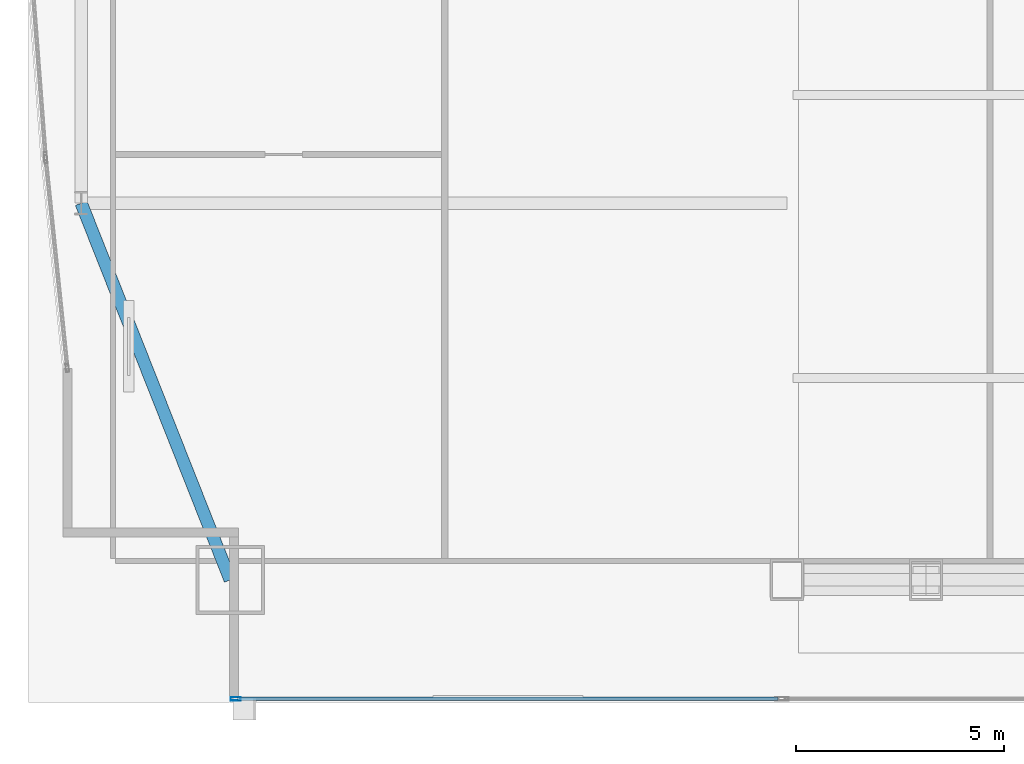
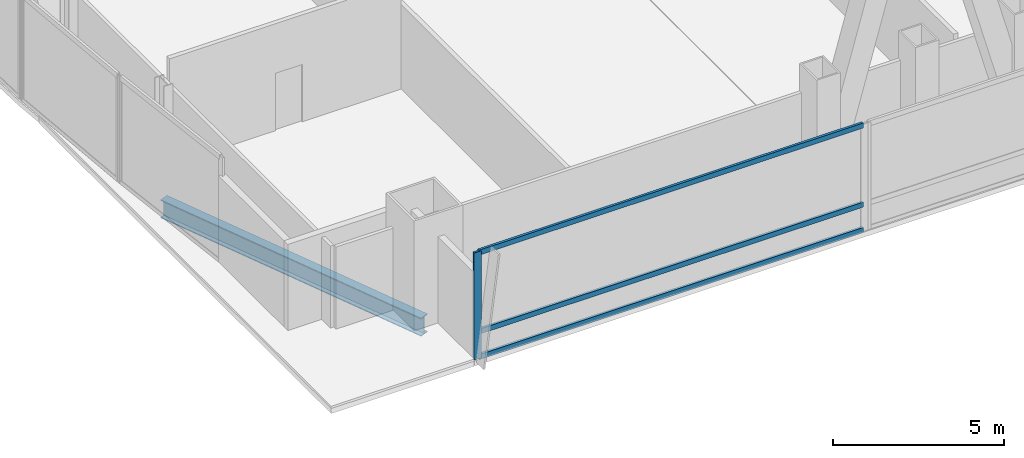
# One storey, part 5 of 35: 4 members, 1 beam, 1 element without a shape of its own.
"""IFC4 building model written with IfcOpenShell, lengths in metres."""

from ifc_helpers import new_model, si_unit, direction, frame, origin, origin_2d, place, context, subcontext, project, spatial, hollow_rectangle, i_section, extrude, material, material_profile, profile_set, type_object, element, aggregate, save


model = new_model("IFC4")

# Units and contexts
model_context = context("Model", 3, precision=1e-05, world=origin(), true_north=direction((0.0, 1.0)))
body_context = subcontext(model_context, "Body", "Model", "MODEL_VIEW")
ifc_project = project(units=[si_unit("LENGTHUNIT", "METRE"), si_unit("AREAUNIT", "SQUARE_METRE"), si_unit("VOLUMEUNIT", "CUBIC_METRE"), si_unit("PLANEANGLEUNIT", "RADIAN"), si_unit("MASSUNIT", "GRAM", prefix="KILO")], contexts=[model_context])

# Site, building, storey
site_placement = place(None, origin())
site = spatial("IfcSite", under=ifc_project, at=site_placement, CompositionType="ELEMENT")
building_placement = place(site_placement, origin())
building = spatial("IfcBuilding", under=site, at=building_placement, Name="Khoronbel Lancet Exchange", CompositionType="ELEMENT")
storey_placement = place(building_placement, frame((0.0, 0.0, 25.800048828125)))
storey = spatial("IfcBuildingStorey", under=building, at=storey_placement, Name="L05", CompositionType="ELEMENT", Elevation=25.800048828125)

# Beam
ifc_material_1 = material(Name="Steel S355", Category="steel")
ifc_material_profile_1 = material_profile(ifc_material_1, i_section(OverallWidth=0.300048828125, OverallDepth=0.64990234375, WebThickness=0.01611328125, FlangeThickness=0.031005859375, at=origin_2d()), Name="HEB 650")
ifc_profile_set_1 = profile_set([ifc_material_profile_1], Name="Steel S355")
beam_type = type_object("IfcBeamType", Name="BM-BSP1", PredefinedType="SPANDREL", material=ifc_profile_set_1)
beam_placement = place(storey_placement, frame((1.27001953125, 19.199951171875, -0.505126953125), z_axis=(0.367850095026, -0.92988510451, 0.0), x_axis=(0.92988510451, 0.367850095026, 0.0)))
element("IfcBeam", 1, at=beam_placement, inside=storey, type_object=beam_type, Name="Level L05 perimeter spandrel beam SP19", PredefinedType="SPANDREL", context=body_context, shape_type="SweptSolid", body=[
    extrude(i_section(OverallWidth=0.300048828125, OverallDepth=0.64990234375, WebThickness=0.01611328125, FlangeThickness=0.031005859375, at=origin_2d()), origin(), (0.0, 0.0, 1.0), 9.732421875),
])

# Curtain wall, members
ifc_material_2 = material(Name="Low-E Solar Control Insulating Glass", Category="glass")
curtain_wall_type = type_object("IfcCurtainWallType", Name="CW-1", PredefinedType="NOTDEFINED", material=ifc_material_2)
curtain_wall_placement = place(storey_placement, origin())
curtain_wall = element("IfcCurtainWall", 2, at=curtain_wall_placement, inside=storey, type_object=curtain_wall_type, Name="Unitised curtain wall CW-L05-SWV", PredefinedType="NOTDEFINED")
ifc_material_3 = material(Name="Bronze-Anodised Aluminium 6063-T6", Category="aluminium")
ifc_material_profile_2 = material_profile(ifc_material_3, hollow_rectangle(XDim=0.0849609375, YDim=0.239990234375, WallThickness=0.006103515625, at=origin_2d()), Name="ALU MULLION 85x240")
ifc_profile_set_2 = profile_set([ifc_material_profile_2], Name="Bronze-Anodised Aluminium 6063-T6")
member_type_1 = type_object("IfcMemberType", Name="MEM-CWM1", PredefinedType="MULLION", material=ifc_profile_set_2)
member_1_placement = place(storey_placement, frame((4.982421875, 7.2900390625, 0.0), z_axis=(0.0, 0.0, 1.0), x_axis=(0.0, 1.0, 0.0)))
member_1 = element("IfcMember", 3, at=member_1_placement, type_object=member_type_1, Name="CW1 mullion 1", PredefinedType="MULLION", context=body_context, shape_type="SweptSolid", body=[
    extrude(hollow_rectangle(XDim=0.0849609375, YDim=0.239990234375, WallThickness=0.006103515625, at=origin_2d()), origin(), (0.0, 0.0, 1.0), 3.820068359375),
])
ifc_material_profile_3 = material_profile(ifc_material_3, hollow_rectangle(XDim=0.0849609375, YDim=0.179931640625, WallThickness=0.0048828125, at=origin_2d()), Name="ALU TRANSOM 85x180")
ifc_profile_set_3 = profile_set([ifc_material_profile_3], Name="Bronze-Anodised Aluminium 6063-T6")
member_type_2 = type_object("IfcMemberType", Name="MEM-CWT1", PredefinedType="USERDEFINED", material=ifc_profile_set_3)
member_2_placement = place(storey_placement, frame((5.02490234375, 7.2900390625, 0.04248046875), z_axis=(1.0, 0.0, 0.0), x_axis=(0.0, 1.0, 0.0)))
member_2 = element("IfcMember", 4, at=member_2_placement, type_object=member_type_2, Name="CW1 transom 1.1", ObjectType="TRANSOM", PredefinedType="USERDEFINED", context=body_context, shape_type="SweptSolid", body=[
    extrude(hollow_rectangle(XDim=0.0849609375, YDim=0.179931640625, WallThickness=0.0048828125, at=origin_2d()), origin(), (0.0, 0.0, 1.0), 12.989990234375),
])
member_3_placement = place(storey_placement, frame((5.02490234375, 7.2900390625, 0.949951171875), z_axis=(1.0, 0.0, 0.0), x_axis=(0.0, 1.0, 0.0)))
member_3 = element("IfcMember", 5, at=member_3_placement, type_object=member_type_2, Name="CW1 transom 1.2", ObjectType="TRANSOM", PredefinedType="USERDEFINED", context=body_context, shape_type="SweptSolid", body=[
    extrude(hollow_rectangle(XDim=0.0849609375, YDim=0.179931640625, WallThickness=0.0048828125, at=origin_2d()), origin(), (0.0, 0.0, 1.0), 12.989990234375),
])
member_4_placement = place(storey_placement, frame((5.02490234375, 7.2900390625, 3.77734375), z_axis=(1.0, 0.0, 0.0), x_axis=(0.0, 1.0, 0.0)))
member_4 = element("IfcMember", 6, at=member_4_placement, type_object=member_type_2, Name="CW1 transom 1.3", ObjectType="TRANSOM", PredefinedType="USERDEFINED", context=body_context, shape_type="SweptSolid", body=[
    extrude(hollow_rectangle(XDim=0.0849609375, YDim=0.179931640625, WallThickness=0.0048828125, at=origin_2d()), origin(), (0.0, 0.0, 1.0), 12.989990234375),
])
aggregate(curtain_wall, [member_1, member_2, member_3, member_4])

save(model, "model.ifc")
